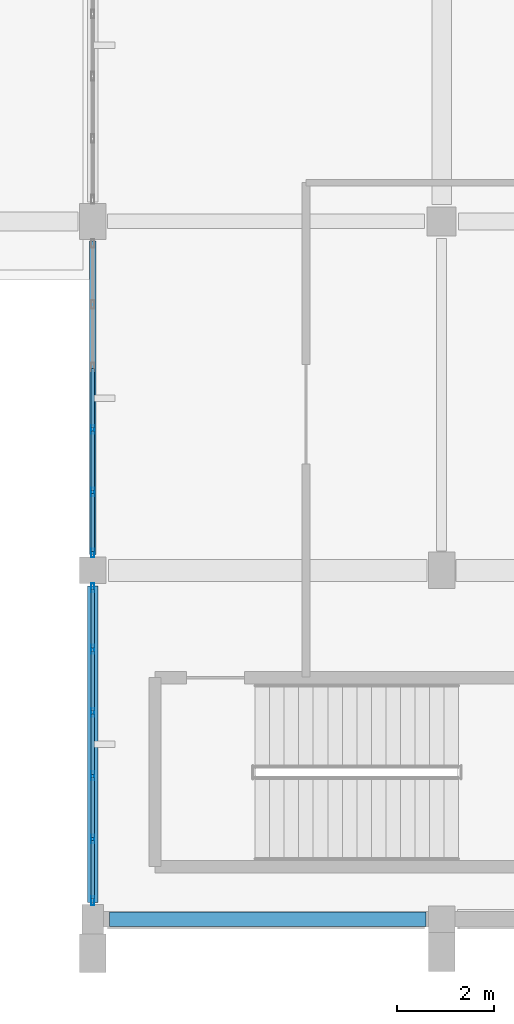
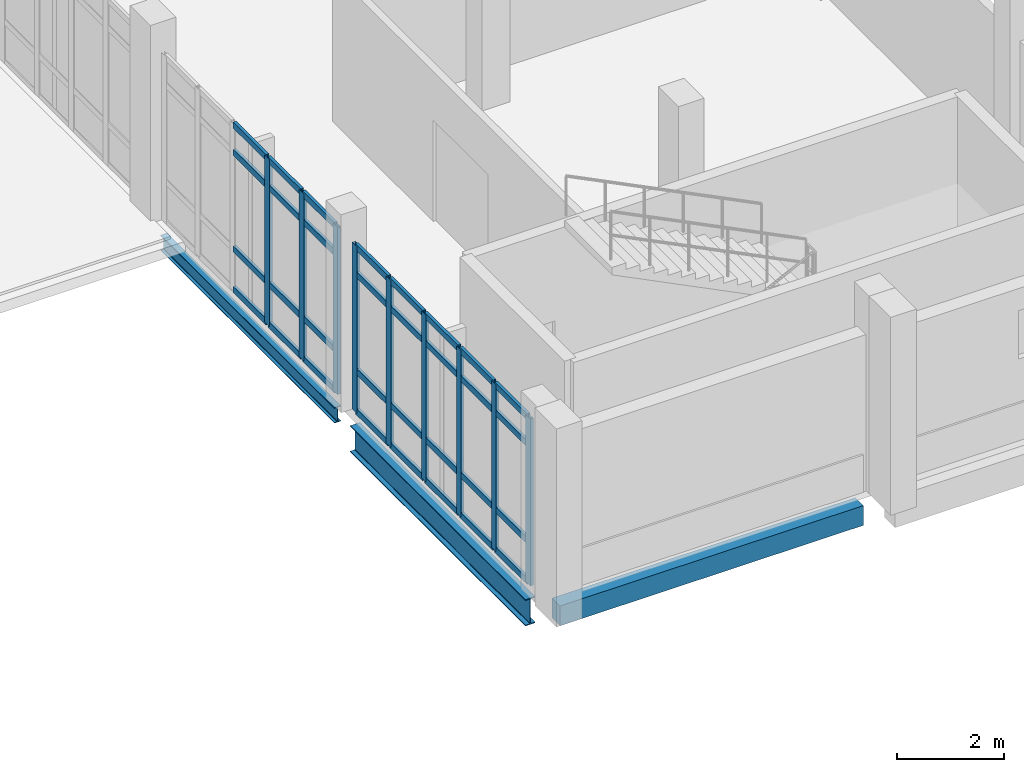
# One storey, part 35 of 134: 41 members, 3 beams, 2 elements without a shape of their own.
"""IFC4 building model written with IfcOpenShell, lengths in metres."""

from ifc_helpers import new_model, si_unit, direction, frame, origin, origin_2d, place, context, subcontext, project, spatial, rectangle, hollow_rectangle, i_section, extrude, material, material_profile, profile_set, type_object, element, aggregate, save


model = new_model("IFC4")

# Units and contexts
model_context = context("Model", 3, precision=1e-05, world=origin(), true_north=direction((0.0, 1.0)))
body_context = subcontext(model_context, "Body", "Model", "MODEL_VIEW")
ifc_project = project(units=[si_unit("LENGTHUNIT", "METRE"), si_unit("AREAUNIT", "SQUARE_METRE"), si_unit("VOLUMEUNIT", "CUBIC_METRE"), si_unit("PLANEANGLEUNIT", "RADIAN"), si_unit("MASSUNIT", "GRAM", prefix="KILO")], contexts=[model_context])

# Site, building, storey
site_placement = place(None, origin())
site = spatial("IfcSite", under=ifc_project, at=site_placement, CompositionType="ELEMENT")
building_placement = place(site_placement, origin())
building = spatial("IfcBuilding", under=site, at=building_placement, Name="Kalluvel Institute of Natural Sciences", CompositionType="ELEMENT")
storey_placement = place(building_placement, frame((0.0, 0.0, 5.39990234375)))
storey = spatial("IfcBuildingStorey", under=building, at=storey_placement, Name="L01", CompositionType="ELEMENT", Elevation=5.39990234375)

# Beams
ifc_material_1 = material(Name="Steel E350 Grade 350", Category="steel")
ifc_material_profile_1 = material_profile(ifc_material_1, i_section(OverallWidth=0.139892578125, OverallDepth=0.35009765625, WebThickness=0.008056640625, FlangeThickness=0.01416015625, FilletRadius=0.013916015625, at=origin_2d()), Name="ISMB 350")
ifc_profile_set_1 = profile_set([ifc_material_profile_1], Name="Steel E350 Grade 350")
beam_type_1 = type_object("IfcBeamType", Name="BM-ISMB350", PredefinedType="BEAM", material=ifc_profile_set_1)
beam_1_placement = place(storey_placement, frame((100.39990234375, 21.52490234375, -0.494873046875), z_axis=(0.0, 1.0, 0.0), x_axis=(-1.0, 0.0, 0.0)))
element("IfcBeam", 1, at=beam_1_placement, inside=storey, type_object=beam_type_1, Name="L01 girder GIR-L01-NS-X1004-Y212", PredefinedType="BEAM", context=body_context, shape_type="SweptSolid", body=[
    extrude(i_section(OverallWidth=0.139892578125, OverallDepth=0.35009765625, WebThickness=0.008056640625, FlangeThickness=0.01416015625, FilletRadius=0.013916015625, at=origin_2d()), origin(), (0.0, 0.0, 1.0), 6.47509765625),
])
ifc_material_profile_2 = material_profile(ifc_material_1, i_section(OverallWidth=0.2099609375, OverallDepth=0.60009765625, WebThickness=0.011962890625, FlangeThickness=0.020751953125, FilletRadius=0.02001953125, at=origin_2d()), Name="ISMB 600")
ifc_profile_set_2 = profile_set([ifc_material_profile_2], Name="Steel E350 Grade 350")
beam_type_2 = type_object("IfcBeamType", Name="BM-ISMB600", PredefinedType="BEAM", material=ifc_profile_set_2)
beam_2_placement = place(storey_placement, frame((100.39990234375, 14.35009765625, -0.619873046875), z_axis=(0.0, 1.0, 0.0), x_axis=(-1.0, 0.0, 0.0)))
element("IfcBeam", 2, at=beam_2_placement, inside=storey, type_object=beam_type_2, Name="L01 girder GIR-L01-NS-X1004-Y140", PredefinedType="BEAM", context=body_context, shape_type="SweptSolid", body=[
    extrude(i_section(OverallWidth=0.2099609375, OverallDepth=0.60009765625, WebThickness=0.011962890625, FlangeThickness=0.020751953125, FilletRadius=0.02001953125, at=origin_2d()), origin(), (0.0, 0.0, 1.0), 6.52490234375),
])

# Curtain wall, members
ifc_material_2 = material(Name="Aluminium AW-6063 T6", Category="aluminium")
curtain_wall_type = type_object("IfcCurtainWallType", Name="CW-SPAV-45", PredefinedType="USERDEFINED", material=ifc_material_2)
curtain_wall_1_placement = place(storey_placement, origin())
curtain_wall_1 = element("IfcCurtainWall", 3, at=curtain_wall_1_placement, inside=storey, type_object=curtain_wall_type, Name="L01 Gothic lancet curtain wall CWA-L01-X1004-Y144", ObjectType="UNITISED LANCET FACADE", PredefinedType="USERDEFINED")
ifc_material_profile_3 = material_profile(ifc_material_2, hollow_rectangle(XDim=0.06494140625, YDim=0.179931640625, WallThickness=0.00439453125, at=origin_2d()), Name="CWM 65x180")
ifc_profile_set_3 = profile_set([ifc_material_profile_3], Name="Aluminium AW-6063 T6")
member_type_1 = type_object("IfcMemberType", Name="CWM-65x180", PredefinedType="MULLION", material=ifc_profile_set_3)
member_1_placement = place(storey_placement, frame((100.39990234375, 14.382568359375, 0.0), z_axis=(0.0, 0.0, 1.0), x_axis=(-1.0, 0.0, 0.0)))
member_1 = element("IfcMember", 4, at=member_1_placement, type_object=member_type_1, Name="CW-10 mullion 1", PredefinedType="MULLION", context=body_context, shape_type="SweptSolid", body=[
    extrude(hollow_rectangle(XDim=0.06494140625, YDim=0.179931640625, WallThickness=0.00439453125, at=origin_2d()), origin(), (0.0, 0.0, 1.0), 3.800048828125),
])
member_2_placement = place(storey_placement, frame((100.39990234375, 15.655029296875, 0.0), z_axis=(0.0, 0.0, 1.0), x_axis=(-1.0, 0.0, 0.0)))
member_2 = element("IfcMember", 5, at=member_2_placement, type_object=member_type_1, Name="CW-10 mullion 2", PredefinedType="MULLION", context=body_context, shape_type="SweptSolid", body=[
    extrude(hollow_rectangle(XDim=0.06494140625, YDim=0.179931640625, WallThickness=0.00439453125, at=origin_2d()), origin(), (0.0, 0.0, 1.0), 3.800048828125),
])
member_3_placement = place(storey_placement, frame((100.39990234375, 16.9599609375, 0.0), z_axis=(0.0, 0.0, 1.0), x_axis=(-1.0, 0.0, 0.0)))
member_3 = element("IfcMember", 6, at=member_3_placement, type_object=member_type_1, Name="CW-10 mullion 3", PredefinedType="MULLION", context=body_context, shape_type="SweptSolid", body=[
    extrude(hollow_rectangle(XDim=0.06494140625, YDim=0.179931640625, WallThickness=0.00439453125, at=origin_2d()), origin(), (0.0, 0.0, 1.0), 3.800048828125),
])
member_4_placement = place(storey_placement, frame((100.39990234375, 18.264892578125, 0.0), z_axis=(0.0, 0.0, 1.0), x_axis=(-1.0, 0.0, 0.0)))
member_4 = element("IfcMember", 7, at=member_4_placement, type_object=member_type_1, Name="CW-10 mullion 4", PredefinedType="MULLION", context=body_context, shape_type="SweptSolid", body=[
    extrude(hollow_rectangle(XDim=0.06494140625, YDim=0.179931640625, WallThickness=0.00439453125, at=origin_2d()), origin(), (0.0, 0.0, 1.0), 3.800048828125),
])
member_5_placement = place(storey_placement, frame((100.39990234375, 19.570068359375, 0.0), z_axis=(0.0, 0.0, 1.0), x_axis=(-1.0, 0.0, 0.0)))
member_5 = element("IfcMember", 8, at=member_5_placement, type_object=member_type_1, Name="CW-10 mullion 5", PredefinedType="MULLION", context=body_context, shape_type="SweptSolid", body=[
    extrude(hollow_rectangle(XDim=0.06494140625, YDim=0.179931640625, WallThickness=0.00439453125, at=origin_2d()), origin(), (0.0, 0.0, 1.0), 3.800048828125),
])
member_6_placement = place(storey_placement, frame((100.39990234375, 20.842529296875, 0.0), z_axis=(0.0, 0.0, 1.0), x_axis=(-1.0, 0.0, 0.0)))
member_6 = element("IfcMember", 9, at=member_6_placement, type_object=member_type_1, Name="CW-10 mullion 6", PredefinedType="MULLION", context=body_context, shape_type="SweptSolid", body=[
    extrude(hollow_rectangle(XDim=0.06494140625, YDim=0.179931640625, WallThickness=0.00439453125, at=origin_2d()), origin(), (0.0, 0.0, 1.0), 3.800048828125),
])

curtain_wall_2_placement = place(storey_placement, origin())
curtain_wall_2 = element("IfcCurtainWall", 10, at=curtain_wall_2_placement, inside=storey, type_object=curtain_wall_type, Name="L01 Gothic lancet curtain wall CWA-L01-X1004-Y215", ObjectType="UNITISED LANCET FACADE", PredefinedType="USERDEFINED")
member_7_placement = place(storey_placement, frame((100.39990234375, 21.5576171875, 0.0), z_axis=(0.0, 0.0, 1.0), x_axis=(-1.0, 0.0, 0.0)))
member_7 = element("IfcMember", 11, at=member_7_placement, type_object=member_type_1, Name="CW-10 mullion 1", PredefinedType="MULLION", context=body_context, shape_type="SweptSolid", body=[
    extrude(hollow_rectangle(XDim=0.06494140625, YDim=0.179931640625, WallThickness=0.00439453125, at=origin_2d()), origin(), (0.0, 0.0, 1.0), 3.800048828125),
])
member_8_placement = place(storey_placement, frame((100.39990234375, 22.81494140625, 0.0), z_axis=(0.0, 0.0, 1.0), x_axis=(-1.0, 0.0, 0.0)))
member_8 = element("IfcMember", 12, at=member_8_placement, type_object=member_type_1, Name="CW-10 mullion 2", PredefinedType="MULLION", context=body_context, shape_type="SweptSolid", body=[
    extrude(hollow_rectangle(XDim=0.06494140625, YDim=0.179931640625, WallThickness=0.00439453125, at=origin_2d()), origin(), (0.0, 0.0, 1.0), 3.800048828125),
])
member_9_placement = place(storey_placement, frame((100.39990234375, 24.10498046875, 0.0), z_axis=(0.0, 0.0, 1.0), x_axis=(-1.0, 0.0, 0.0)))
member_9 = element("IfcMember", 13, at=member_9_placement, type_object=member_type_1, Name="CW-10 mullion 3", PredefinedType="MULLION", context=body_context, shape_type="SweptSolid", body=[
    extrude(hollow_rectangle(XDim=0.06494140625, YDim=0.179931640625, WallThickness=0.00439453125, at=origin_2d()), origin(), (0.0, 0.0, 1.0), 3.800048828125),
])

# Member
ifc_material_profile_4 = material_profile(ifc_material_2, hollow_rectangle(XDim=0.06494140625, YDim=0.139892578125, WallThickness=0.00439453125, at=origin_2d()), Name="CWT 65x140")
ifc_profile_set_4 = profile_set([ifc_material_profile_4], Name="Aluminium AW-6063 T6")
member_type_2 = type_object("IfcMemberType", Name="CWT-65x140", PredefinedType="USERDEFINED", material=ifc_profile_set_4)
member_10_placement = place(storey_placement, frame((100.39990234375, 14.4150390625, 0.03271484375), z_axis=(0.0, 1.0, 0.0), x_axis=(-1.0, 0.0, 0.0)))
member_10 = element("IfcMember", 14, at=member_10_placement, type_object=member_type_2, Name="CW-10 transom 1.1", ObjectType="TRANSOM", PredefinedType="USERDEFINED", context=body_context, shape_type="SweptSolid", body=[
    extrude(hollow_rectangle(XDim=0.06494140625, YDim=0.139892578125, WallThickness=0.00439453125, at=origin_2d()), origin(), (0.0, 0.0, 1.0), 1.20751953125),
])

member_11_placement = place(storey_placement, frame((100.39990234375, 14.4150390625, 0.9501953125), z_axis=(0.0, 1.0, 0.0), x_axis=(-1.0, 0.0, 0.0)))
member_11 = element("IfcMember", 15, at=member_11_placement, type_object=member_type_2, Name="CW-10 transom 1.2", ObjectType="TRANSOM", PredefinedType="USERDEFINED", context=body_context, shape_type="SweptSolid", body=[
    extrude(hollow_rectangle(XDim=0.06494140625, YDim=0.139892578125, WallThickness=0.00439453125, at=origin_2d()), origin(), (0.0, 0.0, 1.0), 1.20751953125),
])

member_12_placement = place(storey_placement, frame((100.39990234375, 14.4150390625, 3.150146484375), z_axis=(0.0, 1.0, 0.0), x_axis=(-1.0, 0.0, 0.0)))
member_12 = element("IfcMember", 16, at=member_12_placement, type_object=member_type_2, Name="CW-10 transom 1.3", ObjectType="TRANSOM", PredefinedType="USERDEFINED", context=body_context, shape_type="SweptSolid", body=[
    extrude(hollow_rectangle(XDim=0.06494140625, YDim=0.139892578125, WallThickness=0.00439453125, at=origin_2d()), origin(), (0.0, 0.0, 1.0), 1.20751953125),
])

member_13_placement = place(storey_placement, frame((100.39990234375, 14.4150390625, 3.767578125), z_axis=(0.0, 1.0, 0.0), x_axis=(-1.0, 0.0, 0.0)))
member_13 = element("IfcMember", 17, at=member_13_placement, type_object=member_type_2, Name="CW-10 transom 1.4", ObjectType="TRANSOM", PredefinedType="USERDEFINED", context=body_context, shape_type="SweptSolid", body=[
    extrude(hollow_rectangle(XDim=0.06494140625, YDim=0.139892578125, WallThickness=0.00439453125, at=origin_2d()), origin(), (0.0, 0.0, 1.0), 1.20751953125),
])

member_14_placement = place(storey_placement, frame((100.39990234375, 15.6875, 0.03271484375), z_axis=(0.0, 1.0, 0.0), x_axis=(-1.0, 0.0, 0.0)))
member_14 = element("IfcMember", 18, at=member_14_placement, type_object=member_type_2, Name="CW-10 transom 2.1", ObjectType="TRANSOM", PredefinedType="USERDEFINED", context=body_context, shape_type="SweptSolid", body=[
    extrude(hollow_rectangle(XDim=0.06494140625, YDim=0.139892578125, WallThickness=0.00439453125, at=origin_2d()), origin(), (0.0, 0.0, 1.0), 1.239990234375),
])

member_15_placement = place(storey_placement, frame((100.39990234375, 15.6875, 0.9501953125), z_axis=(0.0, 1.0, 0.0), x_axis=(-1.0, 0.0, 0.0)))
member_15 = element("IfcMember", 19, at=member_15_placement, type_object=member_type_2, Name="CW-10 transom 2.2", ObjectType="TRANSOM", PredefinedType="USERDEFINED", context=body_context, shape_type="SweptSolid", body=[
    extrude(hollow_rectangle(XDim=0.06494140625, YDim=0.139892578125, WallThickness=0.00439453125, at=origin_2d()), origin(), (0.0, 0.0, 1.0), 1.239990234375),
])

member_16_placement = place(storey_placement, frame((100.39990234375, 15.6875, 3.150146484375), z_axis=(0.0, 1.0, 0.0), x_axis=(-1.0, 0.0, 0.0)))
member_16 = element("IfcMember", 20, at=member_16_placement, type_object=member_type_2, Name="CW-10 transom 2.3", ObjectType="TRANSOM", PredefinedType="USERDEFINED", context=body_context, shape_type="SweptSolid", body=[
    extrude(hollow_rectangle(XDim=0.06494140625, YDim=0.139892578125, WallThickness=0.00439453125, at=origin_2d()), origin(), (0.0, 0.0, 1.0), 1.239990234375),
])

member_17_placement = place(storey_placement, frame((100.39990234375, 15.6875, 3.767578125), z_axis=(0.0, 1.0, 0.0), x_axis=(-1.0, 0.0, 0.0)))
member_17 = element("IfcMember", 21, at=member_17_placement, type_object=member_type_2, Name="CW-10 transom 2.4", ObjectType="TRANSOM", PredefinedType="USERDEFINED", context=body_context, shape_type="SweptSolid", body=[
    extrude(hollow_rectangle(XDim=0.06494140625, YDim=0.139892578125, WallThickness=0.00439453125, at=origin_2d()), origin(), (0.0, 0.0, 1.0), 1.239990234375),
])

member_18_placement = place(storey_placement, frame((100.39990234375, 16.992431640625, 0.03271484375), z_axis=(0.0, 1.0, 0.0), x_axis=(-1.0, 0.0, 0.0)))
member_18 = element("IfcMember", 22, at=member_18_placement, type_object=member_type_2, Name="CW-10 transom 3.1", ObjectType="TRANSOM", PredefinedType="USERDEFINED", context=body_context, shape_type="SweptSolid", body=[
    extrude(hollow_rectangle(XDim=0.06494140625, YDim=0.139892578125, WallThickness=0.00439453125, at=origin_2d()), origin(), (0.0, 0.0, 1.0), 1.239990234375),
])

member_19_placement = place(storey_placement, frame((100.39990234375, 16.992431640625, 0.9501953125), z_axis=(0.0, 1.0, 0.0), x_axis=(-1.0, 0.0, 0.0)))
member_19 = element("IfcMember", 23, at=member_19_placement, type_object=member_type_2, Name="CW-10 transom 3.2", ObjectType="TRANSOM", PredefinedType="USERDEFINED", context=body_context, shape_type="SweptSolid", body=[
    extrude(hollow_rectangle(XDim=0.06494140625, YDim=0.139892578125, WallThickness=0.00439453125, at=origin_2d()), origin(), (0.0, 0.0, 1.0), 1.239990234375),
])

member_20_placement = place(storey_placement, frame((100.39990234375, 16.992431640625, 3.150146484375), z_axis=(0.0, 1.0, 0.0), x_axis=(-1.0, 0.0, 0.0)))
member_20 = element("IfcMember", 24, at=member_20_placement, type_object=member_type_2, Name="CW-10 transom 3.3", ObjectType="TRANSOM", PredefinedType="USERDEFINED", context=body_context, shape_type="SweptSolid", body=[
    extrude(hollow_rectangle(XDim=0.06494140625, YDim=0.139892578125, WallThickness=0.00439453125, at=origin_2d()), origin(), (0.0, 0.0, 1.0), 1.239990234375),
])

member_21_placement = place(storey_placement, frame((100.39990234375, 16.992431640625, 3.767578125), z_axis=(0.0, 1.0, 0.0), x_axis=(-1.0, 0.0, 0.0)))
member_21 = element("IfcMember", 25, at=member_21_placement, type_object=member_type_2, Name="CW-10 transom 3.4", ObjectType="TRANSOM", PredefinedType="USERDEFINED", context=body_context, shape_type="SweptSolid", body=[
    extrude(hollow_rectangle(XDim=0.06494140625, YDim=0.139892578125, WallThickness=0.00439453125, at=origin_2d()), origin(), (0.0, 0.0, 1.0), 1.239990234375),
])

member_22_placement = place(storey_placement, frame((100.39990234375, 18.297607421875, 0.03271484375), z_axis=(0.0, 1.0, 0.0), x_axis=(-1.0, 0.0, 0.0)))
member_22 = element("IfcMember", 26, at=member_22_placement, type_object=member_type_2, Name="CW-10 transom 4.1", ObjectType="TRANSOM", PredefinedType="USERDEFINED", context=body_context, shape_type="SweptSolid", body=[
    extrude(hollow_rectangle(XDim=0.06494140625, YDim=0.139892578125, WallThickness=0.00439453125, at=origin_2d()), origin(), (0.0, 0.0, 1.0), 1.239990234375),
])

member_23_placement = place(storey_placement, frame((100.39990234375, 18.297607421875, 0.9501953125), z_axis=(0.0, 1.0, 0.0), x_axis=(-1.0, 0.0, 0.0)))
member_23 = element("IfcMember", 27, at=member_23_placement, type_object=member_type_2, Name="CW-10 transom 4.2", ObjectType="TRANSOM", PredefinedType="USERDEFINED", context=body_context, shape_type="SweptSolid", body=[
    extrude(hollow_rectangle(XDim=0.06494140625, YDim=0.139892578125, WallThickness=0.00439453125, at=origin_2d()), origin(), (0.0, 0.0, 1.0), 1.239990234375),
])

member_24_placement = place(storey_placement, frame((100.39990234375, 18.297607421875, 3.150146484375), z_axis=(0.0, 1.0, 0.0), x_axis=(-1.0, 0.0, 0.0)))
member_24 = element("IfcMember", 28, at=member_24_placement, type_object=member_type_2, Name="CW-10 transom 4.3", ObjectType="TRANSOM", PredefinedType="USERDEFINED", context=body_context, shape_type="SweptSolid", body=[
    extrude(hollow_rectangle(XDim=0.06494140625, YDim=0.139892578125, WallThickness=0.00439453125, at=origin_2d()), origin(), (0.0, 0.0, 1.0), 1.239990234375),
])

member_25_placement = place(storey_placement, frame((100.39990234375, 18.297607421875, 3.767578125), z_axis=(0.0, 1.0, 0.0), x_axis=(-1.0, 0.0, 0.0)))
member_25 = element("IfcMember", 29, at=member_25_placement, type_object=member_type_2, Name="CW-10 transom 4.4", ObjectType="TRANSOM", PredefinedType="USERDEFINED", context=body_context, shape_type="SweptSolid", body=[
    extrude(hollow_rectangle(XDim=0.06494140625, YDim=0.139892578125, WallThickness=0.00439453125, at=origin_2d()), origin(), (0.0, 0.0, 1.0), 1.239990234375),
])

member_26_placement = place(storey_placement, frame((100.39990234375, 19.6025390625, 0.03271484375), z_axis=(0.0, 1.0, 0.0), x_axis=(-1.0, 0.0, 0.0)))
member_26 = element("IfcMember", 30, at=member_26_placement, type_object=member_type_2, Name="CW-10 transom 5.1", ObjectType="TRANSOM", PredefinedType="USERDEFINED", context=body_context, shape_type="SweptSolid", body=[
    extrude(hollow_rectangle(XDim=0.06494140625, YDim=0.139892578125, WallThickness=0.00439453125, at=origin_2d()), origin(), (0.0, 0.0, 1.0), 1.20751953125),
])

member_27_placement = place(storey_placement, frame((100.39990234375, 19.6025390625, 0.9501953125), z_axis=(0.0, 1.0, 0.0), x_axis=(-1.0, 0.0, 0.0)))
member_27 = element("IfcMember", 31, at=member_27_placement, type_object=member_type_2, Name="CW-10 transom 5.2", ObjectType="TRANSOM", PredefinedType="USERDEFINED", context=body_context, shape_type="SweptSolid", body=[
    extrude(hollow_rectangle(XDim=0.06494140625, YDim=0.139892578125, WallThickness=0.00439453125, at=origin_2d()), origin(), (0.0, 0.0, 1.0), 1.20751953125),
])

member_28_placement = place(storey_placement, frame((100.39990234375, 19.6025390625, 3.150146484375), z_axis=(0.0, 1.0, 0.0), x_axis=(-1.0, 0.0, 0.0)))
member_28 = element("IfcMember", 32, at=member_28_placement, type_object=member_type_2, Name="CW-10 transom 5.3", ObjectType="TRANSOM", PredefinedType="USERDEFINED", context=body_context, shape_type="SweptSolid", body=[
    extrude(hollow_rectangle(XDim=0.06494140625, YDim=0.139892578125, WallThickness=0.00439453125, at=origin_2d()), origin(), (0.0, 0.0, 1.0), 1.20751953125),
])

member_29_placement = place(storey_placement, frame((100.39990234375, 19.6025390625, 3.767578125), z_axis=(0.0, 1.0, 0.0), x_axis=(-1.0, 0.0, 0.0)))
member_29 = element("IfcMember", 33, at=member_29_placement, type_object=member_type_2, Name="CW-10 transom 5.4", ObjectType="TRANSOM", PredefinedType="USERDEFINED", context=body_context, shape_type="SweptSolid", body=[
    extrude(hollow_rectangle(XDim=0.06494140625, YDim=0.139892578125, WallThickness=0.00439453125, at=origin_2d()), origin(), (0.0, 0.0, 1.0), 1.20751953125),
])

aggregate(curtain_wall_1, [member_1, member_2, member_3, member_4, member_5, member_6, member_10, member_11, member_12, member_13, member_14, member_15, member_16, member_17, member_18, member_19, member_20, member_21, member_22, member_23, member_24, member_25, member_26, member_27, member_28, member_29])

member_30_placement = place(storey_placement, frame((100.39990234375, 21.590087890625, 0.03271484375), z_axis=(0.0, 1.0, 0.0), x_axis=(-1.0, 0.0, 0.0)))
member_30 = element("IfcMember", 34, at=member_30_placement, type_object=member_type_2, Name="CW-10 transom 1.1", ObjectType="TRANSOM", PredefinedType="USERDEFINED", context=body_context, shape_type="SweptSolid", body=[
    extrude(hollow_rectangle(XDim=0.06494140625, YDim=0.139892578125, WallThickness=0.00439453125, at=origin_2d()), origin(), (0.0, 0.0, 1.0), 1.1923828125),
])

member_31_placement = place(storey_placement, frame((100.39990234375, 21.590087890625, 0.9501953125), z_axis=(0.0, 1.0, 0.0), x_axis=(-1.0, 0.0, 0.0)))
member_31 = element("IfcMember", 35, at=member_31_placement, type_object=member_type_2, Name="CW-10 transom 1.2", ObjectType="TRANSOM", PredefinedType="USERDEFINED", context=body_context, shape_type="SweptSolid", body=[
    extrude(hollow_rectangle(XDim=0.06494140625, YDim=0.139892578125, WallThickness=0.00439453125, at=origin_2d()), origin(), (0.0, 0.0, 1.0), 1.1923828125),
])

member_32_placement = place(storey_placement, frame((100.39990234375, 21.590087890625, 3.150146484375), z_axis=(0.0, 1.0, 0.0), x_axis=(-1.0, 0.0, 0.0)))
member_32 = element("IfcMember", 36, at=member_32_placement, type_object=member_type_2, Name="CW-10 transom 1.3", ObjectType="TRANSOM", PredefinedType="USERDEFINED", context=body_context, shape_type="SweptSolid", body=[
    extrude(hollow_rectangle(XDim=0.06494140625, YDim=0.139892578125, WallThickness=0.00439453125, at=origin_2d()), origin(), (0.0, 0.0, 1.0), 1.1923828125),
])

member_33_placement = place(storey_placement, frame((100.39990234375, 21.590087890625, 3.767578125), z_axis=(0.0, 1.0, 0.0), x_axis=(-1.0, 0.0, 0.0)))
member_33 = element("IfcMember", 37, at=member_33_placement, type_object=member_type_2, Name="CW-10 transom 1.4", ObjectType="TRANSOM", PredefinedType="USERDEFINED", context=body_context, shape_type="SweptSolid", body=[
    extrude(hollow_rectangle(XDim=0.06494140625, YDim=0.139892578125, WallThickness=0.00439453125, at=origin_2d()), origin(), (0.0, 0.0, 1.0), 1.1923828125),
])

member_34_placement = place(storey_placement, frame((100.39990234375, 22.847412109375, 0.03271484375), z_axis=(0.0, 1.0, 0.0), x_axis=(-1.0, 0.0, 0.0)))
member_34 = element("IfcMember", 38, at=member_34_placement, type_object=member_type_2, Name="CW-10 transom 2.1", ObjectType="TRANSOM", PredefinedType="USERDEFINED", context=body_context, shape_type="SweptSolid", body=[
    extrude(hollow_rectangle(XDim=0.06494140625, YDim=0.139892578125, WallThickness=0.00439453125, at=origin_2d()), origin(), (0.0, 0.0, 1.0), 1.22509765625),
])

member_35_placement = place(storey_placement, frame((100.39990234375, 22.847412109375, 0.9501953125), z_axis=(0.0, 1.0, 0.0), x_axis=(-1.0, 0.0, 0.0)))
member_35 = element("IfcMember", 39, at=member_35_placement, type_object=member_type_2, Name="CW-10 transom 2.2", ObjectType="TRANSOM", PredefinedType="USERDEFINED", context=body_context, shape_type="SweptSolid", body=[
    extrude(hollow_rectangle(XDim=0.06494140625, YDim=0.139892578125, WallThickness=0.00439453125, at=origin_2d()), origin(), (0.0, 0.0, 1.0), 1.22509765625),
])

member_36_placement = place(storey_placement, frame((100.39990234375, 22.847412109375, 3.150146484375), z_axis=(0.0, 1.0, 0.0), x_axis=(-1.0, 0.0, 0.0)))
member_36 = element("IfcMember", 40, at=member_36_placement, type_object=member_type_2, Name="CW-10 transom 2.3", ObjectType="TRANSOM", PredefinedType="USERDEFINED", context=body_context, shape_type="SweptSolid", body=[
    extrude(hollow_rectangle(XDim=0.06494140625, YDim=0.139892578125, WallThickness=0.00439453125, at=origin_2d()), origin(), (0.0, 0.0, 1.0), 1.22509765625),
])

member_37_placement = place(storey_placement, frame((100.39990234375, 22.847412109375, 3.767578125), z_axis=(0.0, 1.0, 0.0), x_axis=(-1.0, 0.0, 0.0)))
member_37 = element("IfcMember", 41, at=member_37_placement, type_object=member_type_2, Name="CW-10 transom 2.4", ObjectType="TRANSOM", PredefinedType="USERDEFINED", context=body_context, shape_type="SweptSolid", body=[
    extrude(hollow_rectangle(XDim=0.06494140625, YDim=0.139892578125, WallThickness=0.00439453125, at=origin_2d()), origin(), (0.0, 0.0, 1.0), 1.22509765625),
])

member_38_placement = place(storey_placement, frame((100.39990234375, 24.137451171875, 0.03271484375), z_axis=(0.0, 1.0, 0.0), x_axis=(-1.0, 0.0, 0.0)))
member_38 = element("IfcMember", 42, at=member_38_placement, type_object=member_type_2, Name="CW-10 transom 3.1", ObjectType="TRANSOM", PredefinedType="USERDEFINED", context=body_context, shape_type="SweptSolid", body=[
    extrude(hollow_rectangle(XDim=0.06494140625, YDim=0.139892578125, WallThickness=0.00439453125, at=origin_2d()), origin(), (0.0, 0.0, 1.0), 1.22509765625),
])

member_39_placement = place(storey_placement, frame((100.39990234375, 24.137451171875, 0.9501953125), z_axis=(0.0, 1.0, 0.0), x_axis=(-1.0, 0.0, 0.0)))
member_39 = element("IfcMember", 43, at=member_39_placement, type_object=member_type_2, Name="CW-10 transom 3.2", ObjectType="TRANSOM", PredefinedType="USERDEFINED", context=body_context, shape_type="SweptSolid", body=[
    extrude(hollow_rectangle(XDim=0.06494140625, YDim=0.139892578125, WallThickness=0.00439453125, at=origin_2d()), origin(), (0.0, 0.0, 1.0), 1.22509765625),
])

member_40_placement = place(storey_placement, frame((100.39990234375, 24.137451171875, 3.150146484375), z_axis=(0.0, 1.0, 0.0), x_axis=(-1.0, 0.0, 0.0)))
member_40 = element("IfcMember", 44, at=member_40_placement, type_object=member_type_2, Name="CW-10 transom 3.3", ObjectType="TRANSOM", PredefinedType="USERDEFINED", context=body_context, shape_type="SweptSolid", body=[
    extrude(hollow_rectangle(XDim=0.06494140625, YDim=0.139892578125, WallThickness=0.00439453125, at=origin_2d()), origin(), (0.0, 0.0, 1.0), 1.22509765625),
])

member_41_placement = place(storey_placement, frame((100.39990234375, 24.137451171875, 3.767578125), z_axis=(0.0, 1.0, 0.0), x_axis=(-1.0, 0.0, 0.0)))
member_41 = element("IfcMember", 45, at=member_41_placement, type_object=member_type_2, Name="CW-10 transom 3.4", ObjectType="TRANSOM", PredefinedType="USERDEFINED", context=body_context, shape_type="SweptSolid", body=[
    extrude(hollow_rectangle(XDim=0.06494140625, YDim=0.139892578125, WallThickness=0.00439453125, at=origin_2d()), origin(), (0.0, 0.0, 1.0), 1.22509765625),
])

aggregate(curtain_wall_2, [member_7, member_8, member_9, member_30, member_31, member_32, member_33, member_34, member_35, member_36, member_37, member_38, member_39, member_40, member_41])

# Beam
ifc_material_3 = material(Name="Concrete M40", Category="concrete")
ifc_material_profile_5 = material_profile(ifc_material_3, rectangle(XDim=0.300048828125, YDim=0.449951171875, at=origin_2d()), Name="RCB 300x450")
ifc_profile_set_5 = profile_set([ifc_material_profile_5], Name="Concrete M40")
beam_type_3 = type_object("IfcBeamType", Name="SP-RC300x450", PredefinedType="SPANDREL", material=ifc_profile_set_5)
beam_3_placement = place(storey_placement, frame((100.75, 14.0, -0.544921875), z_axis=(1.0, 0.0, 0.0), x_axis=(0.0, 1.0, 0.0)))
element("IfcBeam", 46, at=beam_3_placement, inside=storey, type_object=beam_type_3, Name="L01 girder GIR-L01-EW-X1004-Y140", PredefinedType="SPANDREL", context=body_context, shape_type="SweptSolid", body=[
    extrude(rectangle(XDim=0.300048828125, YDim=0.449951171875, at=origin_2d()), origin(), (0.0, 0.0, 1.0), 6.52490234375),
])

save(model, "model.ifc")
